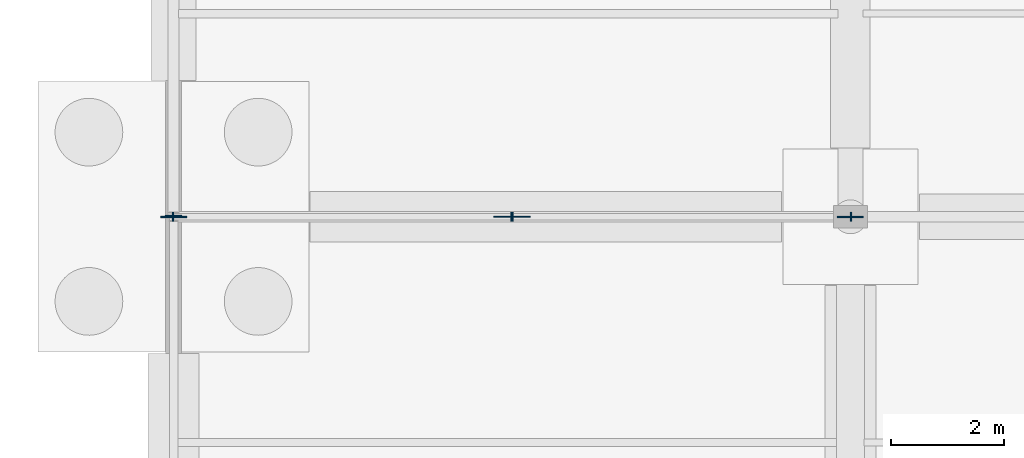
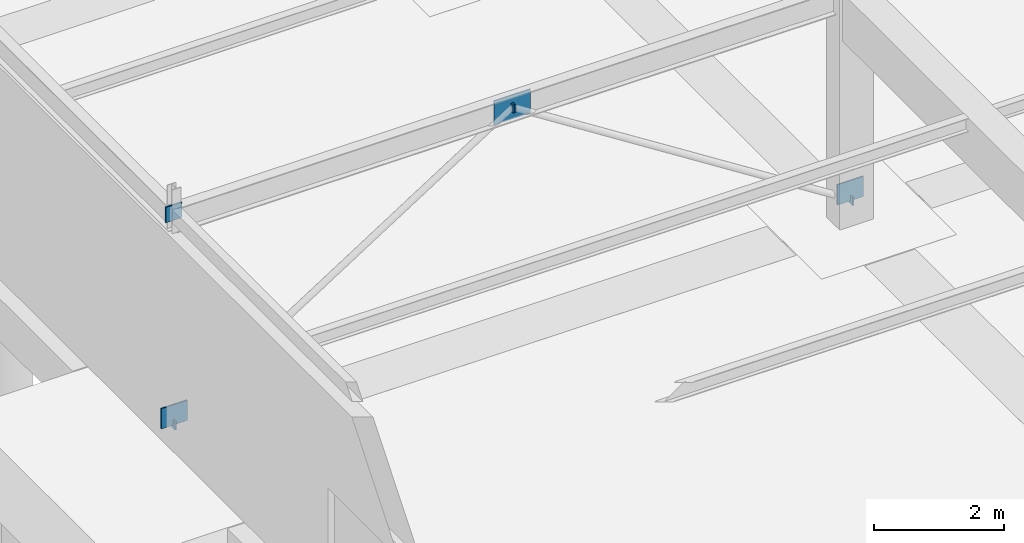
# One storey, part 98 of 136: 8 plates.
"""IFC4 building model written with IfcOpenShell, lengths in metres."""

from ifc_helpers import new_model, si_unit, direction, frame, origin, origin_2d, place, context, subcontext, project, spatial, rectangle, extrude, material, layer, layer_set, type_object, element, save


model = new_model("IFC4")

# Units and contexts
model_context = context("Model", 3, precision=1e-05, world=origin(), true_north=direction((0.0, 1.0)))
body_context = subcontext(model_context, "Body", "Model", "MODEL_VIEW")
ifc_project = project(units=[si_unit("LENGTHUNIT", "METRE"), si_unit("AREAUNIT", "SQUARE_METRE"), si_unit("VOLUMEUNIT", "CUBIC_METRE"), si_unit("PLANEANGLEUNIT", "RADIAN"), si_unit("MASSUNIT", "GRAM", prefix="KILO")], contexts=[model_context])

# Site, building, storey
site_placement = place(None, origin())
site = spatial("IfcSite", under=ifc_project, at=site_placement, CompositionType="ELEMENT")
building_placement = place(site_placement, origin())
building = spatial("IfcBuilding", under=site, at=building_placement, Name="Tarnwether General Hospital", CompositionType="ELEMENT")
storey_placement = place(building_placement, frame((0.0, 0.0, -4.800048828125)))
storey = spatial("IfcBuildingStorey", under=building, at=storey_placement, Name="LG", CompositionType="ELEMENT", Elevation=-4.800048828125)

# Plates
ifc_material_1 = material(Name="Steel Grade 350 (350 MPa)", Category="steel")
ifc_layer_1 = layer(ifc_material_1, 0.02001953125)
ifc_layer_set_1 = layer_set([ifc_layer_1], Name="Steel Grade 350 (350 MPa)")
plate_type_1 = type_object("IfcPlateType", Name="PT-GUS1", PredefinedType="USERDEFINED", material=ifc_layer_set_1)
plate_1_placement = place(storey_placement, frame((6.0, 93.60009765625, 3.96484375), z_axis=(0.0, 0.0, 1.0), x_axis=(1.0, 0.0, 0.0)))
element("IfcPlate", 1, at=plate_1_placement, inside=storey, type_object=plate_type_1, Name="Chevron Brace Apex Gusset Plate 009", ObjectType="GUSSET", PredefinedType="USERDEFINED", context=body_context, shape_type="SweptSolid", body=[
    extrude(rectangle(XDim=0.64990234375, YDim=0.02001953125, at=origin_2d()), origin(), (0.0, 0.0, 1.0), 0.449951171875),
])
ifc_material_2 = material(Name="Steel Grade 350 (350 MPa)", Category="steel")
ifc_layer_2 = layer(ifc_material_2, 0.02490234375)
ifc_layer_set_2 = layer_set([ifc_layer_2], Name="Steel Grade 350 (350 MPa)")
plate_type_2 = type_object("IfcPlateType", Name="PT-GUS2", PredefinedType="USERDEFINED", material=ifc_layer_set_2)
for number, where, z_axis, x_axis, name in (
    (2, (0.0, 93.60009765625, 0.330078125), (0.0, 0.0, 1.0), (1.0, 0.0, 0.0), "Brace Base Gusset Plate 007"),
    (3, (12.0, 93.60009765625, 0.330078125), (0.0, 0.0, 1.0), (1.0, 0.0, 0.0), "Brace Base Gusset Plate 008"),
):
    element("IfcPlate", number, at=place(storey_placement, frame(where, z_axis=z_axis, x_axis=x_axis)), inside=storey, type_object=plate_type_2, Name=name, ObjectType="GUSSET", PredefinedType="USERDEFINED", context=body_context, shape_type="SweptSolid", body=[
        extrude(rectangle(XDim=0.4599609375, YDim=0.02490234375, at=origin_2d()), origin(), (0.0, 0.0, 1.0), 0.3798828125),
    ])
plate_2_placement = place(storey_placement, frame((0.0, 93.612548828125, 4.159912109375), z_axis=(0.0, 0.0, 1.0), x_axis=(0.0, 1.0, 0.0)))
element("IfcPlate", 4, at=plate_2_placement, inside=storey, type_object=plate_type_2, Name="Hollow Section Welded End Cap Plate 0812", ObjectType="GUSSET", PredefinedType="USERDEFINED", context=body_context, shape_type="SweptSolid", body=[
    extrude(rectangle(XDim=0.02490234375, YDim=0.2900390625, at=origin_2d()), origin(), (0.0, 0.0, 1.0), 0.2900390625),
])
for number, where, z_axis, x_axis, name in (
    (5, (-0.010498046875, 93.60009765625, 0.2763671875), (0.0, 0.0, 1.0), (1.0, 0.0, 0.0), "Hollow Section Welded End Cap Plate 1183"),
    (6, (6.010498046875, 93.60009765625, 4.11962890625), (0.0, 0.0, 1.0), (1.0, 0.0, 0.0), "Hollow Section Welded End Cap Plate 1184"),
    (7, (12.010498046875, 93.60009765625, 0.2763671875), (0.0, 0.0, 1.0), (-1.0, 0.0, 0.0), "Hollow Section Welded End Cap Plate 1185"),
    (8, (5.989501953125, 93.60009765625, 4.11962890625), (0.0, 0.0, 1.0), (-1.0, 0.0, 0.0), "Hollow Section Welded End Cap Plate 1186"),
):
    element("IfcPlate", number, at=place(storey_placement, frame(where, z_axis=z_axis, x_axis=x_axis)), inside=storey, type_object=plate_type_2, Name=name, ObjectType="GUSSET", PredefinedType="USERDEFINED", context=body_context, shape_type="SweptSolid", body=[
        extrude(rectangle(XDim=0.02490234375, YDim=0.154052734375, at=origin_2d()), origin(), (0.0, 0.0, 1.0), 0.154052734375),
    ])

save(model, "model.ifc")
